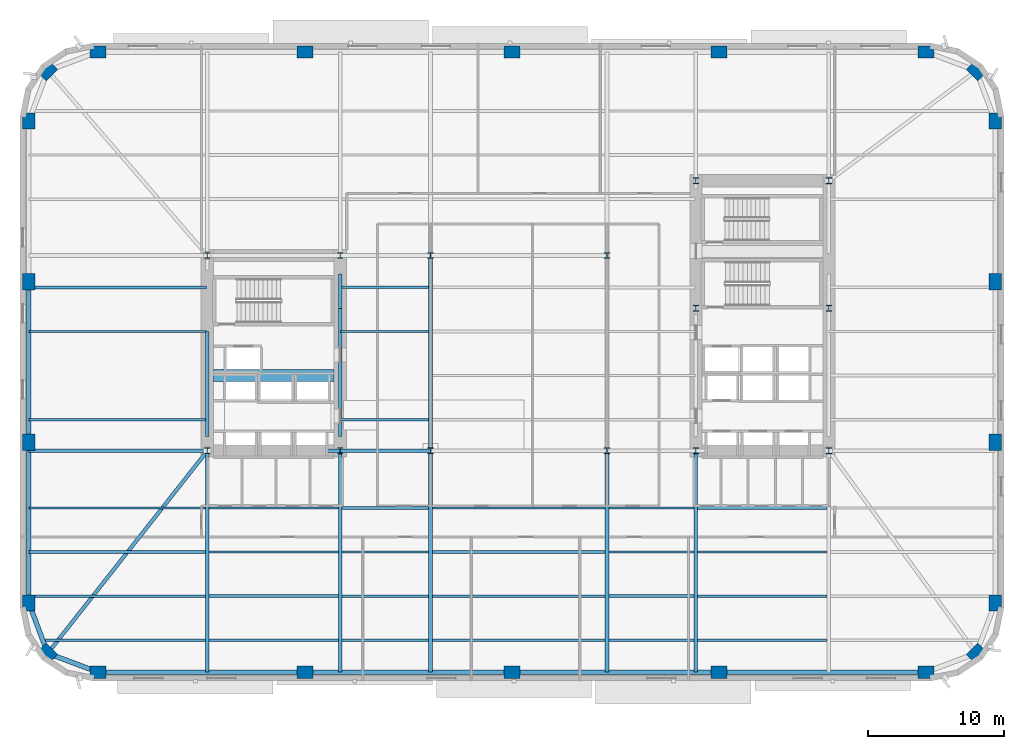
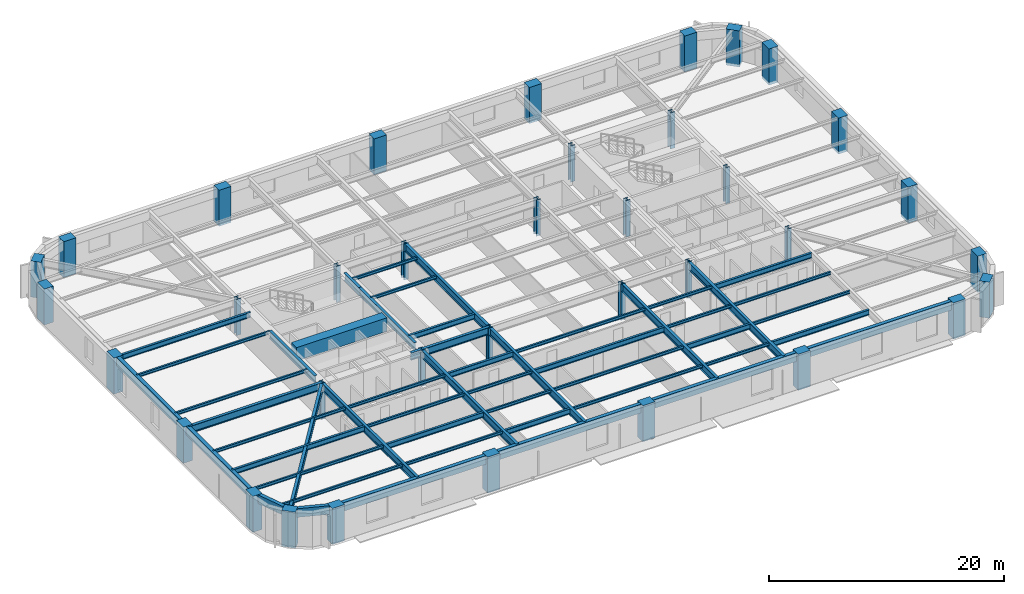
# One storey, part 1 of 15: 51 beams, 36 columns.
"""IFC4 building model written with IfcOpenShell, lengths in metres."""

from ifc_helpers import new_model, si_unit, direction, frame, origin, origin_2d, place, context, subcontext, project, spatial, rectangle, hollow_rectangle, i_section, extrude, material, material_profile, profile_set, type_object, element, save


model = new_model("IFC4")

# Units and contexts
model_context = context("Model", 3, precision=1e-05, world=origin(), true_north=direction((0.0, 1.0)))
body_context = subcontext(model_context, "Body", "Model", "MODEL_VIEW")
ifc_project = project(units=[si_unit("LENGTHUNIT", "METRE"), si_unit("AREAUNIT", "SQUARE_METRE"), si_unit("VOLUMEUNIT", "CUBIC_METRE"), si_unit("PLANEANGLEUNIT", "RADIAN"), si_unit("MASSUNIT", "GRAM", prefix="KILO")], contexts=[model_context])

# Site, building, storey
site_placement = place(None, origin())
site = spatial("IfcSite", under=ifc_project, at=site_placement, CompositionType="ELEMENT")
building_placement = place(site_placement, origin())
building = spatial("IfcBuilding", under=site, at=building_placement, Name="Kolvaren Arena Tower", CompositionType="ELEMENT")
storey_placement = place(building_placement, frame((0.0, 0.0, 49.5)))
storey = spatial("IfcBuildingStorey", under=building, at=storey_placement, Name="L09", CompositionType="ELEMENT", Elevation=49.5)

# Columns
ifc_material_1 = material(Name="Precast concrete C70/85", Category="concrete")
ifc_material_profile_1 = material_profile(ifc_material_1, rectangle(XDim=1.199951171875, YDim=0.89990234375, at=origin_2d()), Name="RC-1200x900")
ifc_profile_set_1 = profile_set([ifc_material_profile_1], Name="Precast concrete C70/85")
column_type_1 = type_object("IfcColumnType", Name="EXCOL-Z1", PredefinedType="COLUMN", material=ifc_profile_set_1)
for number, where, z_axis, x_axis, name in (
    (1, (6.5, 3.14990234375, -0.27001953125), (0.0, 0.0, 1.0), (1.0, 0.0, 0.0), "Exoskeleton Perimeter Column 01 (L09)"),
    (2, (21.75, 3.14990234375, -0.27001953125), (0.0, 0.0, 1.0), (1.0, 0.0, 0.0), "Exoskeleton Perimeter Column 02 (L09)"),
    (3, (37.0, 3.14990234375, -0.27001953125), (0.0, 0.0, 1.0), (1.0, 0.0, 0.0), "Exoskeleton Perimeter Column 03 (L09)"),
    (4, (52.25, 3.14990234375, -0.27001953125), (0.0, 0.0, 1.0), (1.0, 0.0, 0.0), "Exoskeleton Perimeter Column 04 (L09)"),
    (5, (67.5, 3.14990234375, -0.27001953125), (0.0, 0.0, 1.0), (1.0, 0.0, 0.0), "Exoskeleton Perimeter Column 05 (L09)"),
    (6, (71.208740234375, 4.541259765625, -0.27001953125), (0.0, 0.0, 1.0), (0.707106781187, 0.707106781187, 0.0), "Exoskeleton Perimeter Column 06 (L09)"),
    (7, (72.60009765625, 8.25, -0.27001953125), (0.0, 0.0, 1.0), (0.0, 1.0, 0.0), "Exoskeleton Perimeter Column 07 (L09)"),
    (8, (72.60009765625, 20.083251953125, -0.27001953125), (0.0, 0.0, 1.0), (0.0, 1.0, 0.0), "Exoskeleton Perimeter Column 08 (L09)"),
    (9, (72.60009765625, 31.916748046875, -0.27001953125), (0.0, 0.0, 1.0), (0.0, 1.0, 0.0), "Exoskeleton Perimeter Column 09 (L09)"),
    (10, (72.60009765625, 43.75, -0.27001953125), (0.0, 0.0, 1.0), (0.0, 1.0, 0.0), "Exoskeleton Perimeter Column 10 (L09)"),
    (11, (71.208740234375, 47.458740234375, -0.27001953125), (0.0, 0.0, 1.0), (-0.707106781187, 0.707106781187, 0.0), "Exoskeleton Perimeter Column 11 (L09)"),
    (12, (67.5, 48.85009765625, -0.27001953125), (0.0, 0.0, 1.0), (1.0, 0.0, 0.0), "Exoskeleton Perimeter Column 12 (L09)"),
    (13, (52.25, 48.85009765625, -0.27001953125), (0.0, 0.0, 1.0), (1.0, 0.0, 0.0), "Exoskeleton Perimeter Column 13 (L09)"),
    (14, (37.0, 48.85009765625, -0.27001953125), (0.0, 0.0, 1.0), (1.0, 0.0, 0.0), "Exoskeleton Perimeter Column 14 (L09)"),
    (15, (21.75, 48.85009765625, -0.27001953125), (0.0, 0.0, 1.0), (1.0, 0.0, 0.0), "Exoskeleton Perimeter Column 15 (L09)"),
    (16, (6.5, 48.85009765625, -0.27001953125), (0.0, 0.0, 1.0), (1.0, 0.0, 0.0), "Exoskeleton Perimeter Column 16 (L09)"),
    (17, (2.791259765625, 47.458740234375, -0.27001953125), (0.0, 0.0, 1.0), (0.707106781187, 0.707106781187, 0.0), "Exoskeleton Perimeter Column 17 (L09)"),
    (18, (1.39990234375, 43.75, -0.27001953125), (0.0, 0.0, 1.0), (0.0, 1.0, 0.0), "Exoskeleton Perimeter Column 18 (L09)"),
    (19, (1.39990234375, 31.916748046875, -0.27001953125), (0.0, 0.0, 1.0), (0.0, 1.0, 0.0), "Exoskeleton Perimeter Column 19 (L09)"),
    (20, (1.39990234375, 20.083251953125, -0.27001953125), (0.0, 0.0, 1.0), (0.0, 1.0, 0.0), "Exoskeleton Perimeter Column 20 (L09)"),
    (21, (1.39990234375, 8.25, -0.27001953125), (0.0, 0.0, 1.0), (0.0, 1.0, 0.0), "Exoskeleton Perimeter Column 21 (L09)"),
    (22, (2.791259765625, 4.541259765625, -0.27001953125), (0.0, 0.0, 1.0), (-0.707106781187, 0.707106781187, 0.0), "Exoskeleton Perimeter Column 22 (L09)"),
):
    element("IfcColumn", number, at=place(storey_placement, frame(where, z_axis=z_axis, x_axis=x_axis)), inside=storey, type_object=column_type_1, Name=name, PredefinedType="COLUMN", context=body_context, shape_type="SweptSolid", body=[
        extrude(rectangle(XDim=1.199951171875, YDim=0.89990234375, at=origin_2d()), origin(), (0.0, 0.0, 1.0), 3.75),
    ])
ifc_material_2 = material(Name="Steel ASTM A913 Grade 65", Category="steel")
ifc_material_profile_2 = material_profile(ifc_material_2, i_section(OverallWidth=0.424072265625, OverallDepth=0.47412109375, WebThickness=0.047607421875, FlangeThickness=0.076904296875, FilletRadius=0.02001953125, at=origin_2d()), Name="W360x634")
ifc_profile_set_2 = profile_set([ifc_material_profile_2], Name="Steel ASTM A913 Grade 65")
column_type_2 = type_object("IfcColumnType", Name="SCOL-Z1", PredefinedType="COLUMN", material=ifc_profile_set_2)
for number, where, z_axis, x_axis, name in (
    (23, (14.550048828125, 19.449951171875, -0.27001953125), (0.0, 0.0, 1.0), (1.0, 0.0, 0.0), "Core Boundary Column WC-SW (L09)"),
    (24, (24.35009765625, 19.449951171875, -0.27001953125), (0.0, 0.0, 1.0), (1.0, 0.0, 0.0), "Core Boundary Column WC-SE (L09)"),
    (25, (14.550048828125, 33.85009765625, -0.27001953125), (0.0, 0.0, 1.0), (1.0, 0.0, 0.0), "Core Boundary Column WC-NW (L09)"),
    (26, (24.35009765625, 33.85009765625, -0.27001953125), (0.0, 0.0, 1.0), (1.0, 0.0, 0.0), "Core Boundary Column WC-NE (L09)"),
    (27, (50.550048828125, 19.449951171875, -0.27001953125), (0.0, 0.0, 1.0), (1.0, 0.0, 0.0), "Core Boundary Column EC-SW (L09)"),
    (28, (60.35009765625, 19.449951171875, -0.27001953125), (0.0, 0.0, 1.0), (1.0, 0.0, 0.0), "Core Boundary Column EC-SE (L09)"),
    (29, (50.550048828125, 29.949951171875, -0.27001953125), (0.0, 0.0, 1.0), (1.0, 0.0, 0.0), "Core Boundary Column EC-MW (L09)"),
    (30, (60.35009765625, 29.949951171875, -0.27001953125), (0.0, 0.0, 1.0), (1.0, 0.0, 0.0), "Core Boundary Column EC-ME (L09)"),
    (31, (50.550048828125, 39.35009765625, -0.27001953125), (0.0, 0.0, 1.0), (1.0, 0.0, 0.0), "Core Boundary Column EC-NW (L09)"),
    (32, (60.35009765625, 39.35009765625, -0.27001953125), (0.0, 0.0, 1.0), (1.0, 0.0, 0.0), "Core Boundary Column EC-NE (L09)"),
    (33, (31.0, 19.449951171875, -0.27001953125), (0.0, 0.0, 1.0), (1.0, 0.0, 0.0), "Interior Gravity Column TC-SW (L09)"),
    (34, (44.0, 19.449951171875, -0.27001953125), (0.0, 0.0, 1.0), (1.0, 0.0, 0.0), "Interior Gravity Column TC-SE (L09)"),
    (35, (31.0, 33.85009765625, -0.27001953125), (0.0, 0.0, 1.0), (1.0, 0.0, 0.0), "Interior Gravity Column TC-NW (L09)"),
    (36, (44.0, 33.85009765625, -0.27001953125), (0.0, 0.0, 1.0), (1.0, 0.0, 0.0), "Interior Gravity Column TC-NE (L09)"),
):
    element("IfcColumn", number, at=place(storey_placement, frame(where, z_axis=z_axis, x_axis=x_axis)), inside=storey, type_object=column_type_2, Name=name, PredefinedType="COLUMN", context=body_context, shape_type="SweptSolid", body=[
        extrude(i_section(OverallWidth=0.424072265625, OverallDepth=0.47412109375, WebThickness=0.047607421875, FlangeThickness=0.076904296875, FilletRadius=0.02001953125, at=origin_2d()), origin(), (0.0, 0.0, 1.0), 3.75),
    ])

# Beams
ifc_material_3 = material(Name="Steel CSA G40.21 350W", Category="steel")
ifc_material_profile_3 = material_profile(ifc_material_3, i_section(OverallWidth=0.2119140625, OverallDepth=0.54296875, WebThickness=0.01318359375, FlangeThickness=0.0244140625, FilletRadius=0.013916015625, at=origin_2d()), Name="W530x150")
ifc_profile_set_3 = profile_set([ifc_material_profile_3], Name="Steel CSA G40.21 350W")
beam_type_1 = type_object("IfcBeamType", Name="BEAM-F1", PredefinedType="BEAM", material=ifc_profile_set_3)
beam_1_placement = place(storey_placement, frame((24.485107421875, 5.5, 3.20849609375), z_axis=(1.0, 0.0, 0.0), x_axis=(0.0, 1.0, 0.0)))
element("IfcBeam", 37, at=beam_1_placement, inside=storey, type_object=beam_type_1, Name="Composite Floor Beam (L09)", PredefinedType="BEAM", context=body_context, shape_type="SweptSolid", body=[
    extrude(i_section(OverallWidth=0.2119140625, OverallDepth=0.54296875, WebThickness=0.01318359375, FlangeThickness=0.0244140625, FilletRadius=0.013916015625, at=origin_2d()), origin(), (0.0, 0.0, 1.0), 6.3798828125),
])
for number, where, z_axis, x_axis, name in (
    (38, (50.68505859375, 5.5, 3.20849609375), (1.0, 0.0, 0.0), (0.0, 1.0, 0.0), "Composite Floor Beam (L09)"),
    (39, (14.68505859375, 8.75, 3.20849609375), (1.0, 0.0, 0.0), (0.0, 1.0, 0.0), "Composite Floor Beam (L09)"),
):
    element("IfcBeam", number, at=place(storey_placement, frame(where, z_axis=z_axis, x_axis=x_axis)), inside=storey, type_object=beam_type_1, Name=name, PredefinedType="BEAM", context=body_context, shape_type="SweptSolid", body=[
        extrude(i_section(OverallWidth=0.2119140625, OverallDepth=0.54296875, WebThickness=0.01318359375, FlangeThickness=0.0244140625, FilletRadius=0.013916015625, at=origin_2d()), origin(), (0.0, 0.0, 1.0), 9.530029296875),
    ])
beam_2_placement = place(storey_placement, frame((44.135009765625, 8.75, 3.20849609375), z_axis=(1.0, 0.0, 0.0), x_axis=(0.0, 1.0, 0.0)))
element("IfcBeam", 40, at=beam_2_placement, inside=storey, type_object=beam_type_1, Name="Composite Floor Beam (L09)", PredefinedType="BEAM", context=body_context, shape_type="SweptSolid", body=[
    extrude(i_section(OverallWidth=0.2119140625, OverallDepth=0.54296875, WebThickness=0.01318359375, FlangeThickness=0.0244140625, FilletRadius=0.013916015625, at=origin_2d()), origin(), (0.0, 0.0, 1.0), 6.280029296875),
])
beam_3_placement = place(storey_placement, frame((1.39990234375, 12.0, 3.20849609375), z_axis=(1.0, 0.0, 0.0), x_axis=(0.0, 1.0, 0.0)))
element("IfcBeam", 41, at=beam_3_placement, inside=storey, type_object=beam_type_1, Name="Composite Floor Beam (L09)", PredefinedType="BEAM", context=body_context, shape_type="SweptSolid", body=[
    extrude(i_section(OverallWidth=0.2119140625, OverallDepth=0.54296875, WebThickness=0.01318359375, FlangeThickness=0.0244140625, FilletRadius=0.013916015625, at=origin_2d()), origin(), (0.0, 0.0, 1.0), 13.01513671875),
])
beam_4_placement = place(storey_placement, frame((31.135009765625, 12.0, 3.20849609375), z_axis=(1.0, 0.0, 0.0), x_axis=(0.0, 1.0, 0.0)))
element("IfcBeam", 42, at=beam_4_placement, inside=storey, type_object=beam_type_1, Name="Composite Floor Beam (L09)", PredefinedType="BEAM", context=body_context, shape_type="SweptSolid", body=[
    extrude(i_section(OverallWidth=0.2119140625, OverallDepth=0.54296875, WebThickness=0.01318359375, FlangeThickness=0.0244140625, FilletRadius=0.013916015625, at=origin_2d()), origin(), (0.0, 0.0, 1.0), 12.72998046875),
])
beam_5_placement = place(storey_placement, frame((24.485107421875, 15.25, 3.20849609375), z_axis=(1.0, 0.0, 0.0), x_axis=(0.0, 1.0, 0.0)))
element("IfcBeam", 43, at=beam_5_placement, inside=storey, type_object=beam_type_1, Name="Composite Floor Beam (L09)", PredefinedType="BEAM", context=body_context, shape_type="SweptSolid", body=[
    extrude(i_section(OverallWidth=0.2119140625, OverallDepth=0.54296875, WebThickness=0.01318359375, FlangeThickness=0.0244140625, FilletRadius=0.013916015625, at=origin_2d()), origin(), (0.0, 0.0, 1.0), 6.3798828125),
])
beam_6_placement = place(storey_placement, frame((50.68505859375, 15.25, 3.20849609375), z_axis=(1.0, 0.0, 0.0), x_axis=(0.0, 1.0, 0.0)))
element("IfcBeam", 44, at=beam_6_placement, inside=storey, type_object=beam_type_1, Name="Composite Floor Beam (L09)", PredefinedType="BEAM", context=body_context, shape_type="SweptSolid", body=[
    extrude(i_section(OverallWidth=0.2119140625, OverallDepth=0.54296875, WebThickness=0.01318359375, FlangeThickness=0.0244140625, FilletRadius=0.013916015625, at=origin_2d()), origin(), (0.0, 0.0, 1.0), 9.530029296875),
])
beam_7_placement = place(storey_placement, frame((24.3701171875, 21.75, 3.20849609375), z_axis=(1.0, 0.0, 0.0), x_axis=(0.0, 1.0, 0.0)))
element("IfcBeam", 45, at=beam_7_placement, inside=storey, type_object=beam_type_1, Name="Composite Floor Beam (L09)", PredefinedType="BEAM", context=body_context, shape_type="SweptSolid", body=[
    extrude(i_section(OverallWidth=0.2119140625, OverallDepth=0.54296875, WebThickness=0.01318359375, FlangeThickness=0.0244140625, FilletRadius=0.013916015625, at=origin_2d()), origin(), (0.0, 0.0, 1.0), 6.494873046875),
])
beam_8_placement = place(storey_placement, frame((1.39990234375, 31.5, 3.20849609375), z_axis=(1.0, 0.0, 0.0), x_axis=(0.0, 1.0, 0.0)))
element("IfcBeam", 46, at=beam_8_placement, inside=storey, type_object=beam_type_1, Name="Composite Floor Beam (L09)", PredefinedType="BEAM", context=body_context, shape_type="SweptSolid", body=[
    extrude(i_section(OverallWidth=0.2119140625, OverallDepth=0.54296875, WebThickness=0.01318359375, FlangeThickness=0.0244140625, FilletRadius=0.013916015625, at=origin_2d()), origin(), (0.0, 0.0, 1.0), 13.080078125),
])
ifc_material_4 = material(Name="Concrete 75 MPa", Category="concrete")
ifc_material_profile_4 = material_profile(ifc_material_4, rectangle(XDim=0.89990234375, YDim=1.39990234375, at=origin_2d()), Name="RC-900x1400")
ifc_profile_set_4 = profile_set([ifc_material_profile_4], Name="Concrete 75 MPa")
beam_type_2 = type_object("IfcBeamType", Name="CB-CORE-1", PredefinedType="BEAM", material=ifc_profile_set_4)
beam_9_placement = place(storey_placement, frame((15.0, 25.0, 3.050048828125), z_axis=(1.0, 0.0, 0.0), x_axis=(0.0, 1.0, 0.0)))
element("IfcBeam", 47, at=beam_9_placement, inside=storey, type_object=beam_type_2, Name="West Core Coupling Beam (L09)", PredefinedType="BEAM", context=body_context, shape_type="SweptSolid", body=[
    extrude(rectangle(XDim=0.89990234375, YDim=1.39990234375, at=origin_2d()), origin(), (0.0, 0.0, 1.0), 8.89990234375),
])
ifc_material_profile_5 = material_profile(ifc_material_3, i_section(OverallWidth=0.27001953125, OverallDepth=0.77294921875, WebThickness=0.019287109375, FlangeThickness=0.033447265625, FilletRadius=0.01806640625, at=origin_2d()), Name="W760x257")
ifc_profile_set_5 = profile_set([ifc_material_profile_5], Name="Steel CSA G40.21 350W")
beam_type_3 = type_object("IfcBeamType", Name="GIRD-T1", PredefinedType="BEAM", material=ifc_profile_set_5)
beam_10_placement = place(storey_placement, frame((2.791259765625, 4.541259765625, 3.093505859375), z_axis=(0.61927986086, 0.785170334343, 0.0), x_axis=(-0.785170334343, 0.61927986086, 0.0)))
element("IfcBeam", 48, at=beam_10_placement, inside=storey, type_object=beam_type_3, Name="Corner Diagonal Tie Girder (L09)", PredefinedType="BEAM", context=body_context, shape_type="SweptSolid", body=[
    extrude(i_section(OverallWidth=0.27001953125, OverallDepth=0.77294921875, WebThickness=0.019287109375, FlangeThickness=0.033447265625, FilletRadius=0.01806640625, at=origin_2d()), origin(), (0.0, 0.0, 1.0), 18.98779296875),
])
beam_11_placement = place(storey_placement, frame((1.39990234375, 19.449951171875, 3.093505859375), z_axis=(1.0, 0.0, 0.0), x_axis=(0.0, 1.0, 0.0)))
element("IfcBeam", 49, at=beam_11_placement, inside=storey, type_object=beam_type_3, Name="Primary Floor Girder (L09)", PredefinedType="BEAM", context=body_context, shape_type="SweptSolid", body=[
    extrude(i_section(OverallWidth=0.27001953125, OverallDepth=0.77294921875, WebThickness=0.019287109375, FlangeThickness=0.033447265625, FilletRadius=0.01806640625, at=origin_2d()), origin(), (0.0, 0.0, 1.0), 13.150146484375),
])
beam_12_placement = place(storey_placement, frame((23.2451171875, 19.449951171875, 3.093505859375), z_axis=(1.0, 0.0, 0.0), x_axis=(0.0, 1.0, 0.0)))
element("IfcBeam", 50, at=beam_12_placement, inside=storey, type_object=beam_type_3, Name="Primary Floor Girder (L09)", PredefinedType="BEAM", context=body_context, shape_type="SweptSolid", body=[
    extrude(i_section(OverallWidth=0.27001953125, OverallDepth=0.77294921875, WebThickness=0.019287109375, FlangeThickness=0.033447265625, FilletRadius=0.01806640625, at=origin_2d()), origin(), (0.0, 0.0, 1.0), 7.7548828125),
])
beam_13_placement = place(storey_placement, frame((14.550048828125, 3.14990234375, 3.093505859375), z_axis=(0.0, 1.0, 0.0), x_axis=(-1.0, 0.0, 0.0)))
element("IfcBeam", 51, at=beam_13_placement, inside=storey, type_object=beam_type_3, Name="Primary Floor Girder (L09)", PredefinedType="BEAM", context=body_context, shape_type="SweptSolid", body=[
    extrude(i_section(OverallWidth=0.27001953125, OverallDepth=0.77294921875, WebThickness=0.019287109375, FlangeThickness=0.033447265625, FilletRadius=0.01806640625, at=origin_2d()), origin(), (0.0, 0.0, 1.0), 16.300048828125),
])
beam_14_placement = place(storey_placement, frame((14.550048828125, 20.5, 3.093505859375), z_axis=(0.0, 1.0, 0.0), x_axis=(-1.0, 0.0, 0.0)))
element("IfcBeam", 52, at=beam_14_placement, inside=storey, type_object=beam_type_3, Name="Primary Floor Girder (L09)", PredefinedType="BEAM", context=body_context, shape_type="SweptSolid", body=[
    extrude(i_section(OverallWidth=0.27001953125, OverallDepth=0.77294921875, WebThickness=0.019287109375, FlangeThickness=0.033447265625, FilletRadius=0.01806640625, at=origin_2d()), origin(), (0.0, 0.0, 1.0), 7.739990234375),
])
beam_15_placement = place(storey_placement, frame((24.35009765625, 3.14990234375, 3.093505859375), z_axis=(0.0, 1.0, 0.0), x_axis=(-1.0, 0.0, 0.0)))
element("IfcBeam", 53, at=beam_15_placement, inside=storey, type_object=beam_type_3, Name="Primary Floor Girder (L09)", PredefinedType="BEAM", context=body_context, shape_type="SweptSolid", body=[
    extrude(i_section(OverallWidth=0.27001953125, OverallDepth=0.77294921875, WebThickness=0.019287109375, FlangeThickness=0.033447265625, FilletRadius=0.01806640625, at=origin_2d()), origin(), (0.0, 0.0, 1.0), 16.300048828125),
])
beam_16_placement = place(storey_placement, frame((24.35009765625, 20.5, 3.093505859375), z_axis=(0.0, 1.0, 0.0), x_axis=(-1.0, 0.0, 0.0)))
element("IfcBeam", 54, at=beam_16_placement, inside=storey, type_object=beam_type_3, Name="Primary Floor Girder (L09)", PredefinedType="BEAM", context=body_context, shape_type="SweptSolid", body=[
    extrude(i_section(OverallWidth=0.27001953125, OverallDepth=0.77294921875, WebThickness=0.019287109375, FlangeThickness=0.033447265625, FilletRadius=0.01806640625, at=origin_2d()), origin(), (0.0, 0.0, 1.0), 9.449951171875),
])
beam_17_placement = place(storey_placement, frame((24.35009765625, 29.949951171875, 3.093505859375), z_axis=(0.0, 1.0, 0.0), x_axis=(-1.0, 0.0, 0.0)))
element("IfcBeam", 55, at=beam_17_placement, inside=storey, type_object=beam_type_3, Name="Primary Floor Girder (L09)", PredefinedType="BEAM", context=body_context, shape_type="SweptSolid", body=[
    extrude(i_section(OverallWidth=0.27001953125, OverallDepth=0.77294921875, WebThickness=0.019287109375, FlangeThickness=0.033447265625, FilletRadius=0.01806640625, at=origin_2d()), origin(), (0.0, 0.0, 1.0), 2.550048828125),
])
beam_18_placement = place(storey_placement, frame((31.0, 3.14990234375, 3.093505859375), z_axis=(0.0, 1.0, 0.0), x_axis=(-1.0, 0.0, 0.0)))
element("IfcBeam", 56, at=beam_18_placement, inside=storey, type_object=beam_type_3, Name="Primary Floor Girder (L09)", PredefinedType="BEAM", context=body_context, shape_type="SweptSolid", body=[
    extrude(i_section(OverallWidth=0.27001953125, OverallDepth=0.77294921875, WebThickness=0.019287109375, FlangeThickness=0.033447265625, FilletRadius=0.01806640625, at=origin_2d()), origin(), (0.0, 0.0, 1.0), 16.300048828125),
])
beam_19_placement = place(storey_placement, frame((31.0, 19.449951171875, 3.093505859375), z_axis=(0.0, 1.0, 0.0), x_axis=(-1.0, 0.0, 0.0)))
element("IfcBeam", 57, at=beam_19_placement, inside=storey, type_object=beam_type_3, Name="Primary Floor Girder (L09)", PredefinedType="BEAM", context=body_context, shape_type="SweptSolid", body=[
    extrude(i_section(OverallWidth=0.27001953125, OverallDepth=0.77294921875, WebThickness=0.019287109375, FlangeThickness=0.033447265625, FilletRadius=0.01806640625, at=origin_2d()), origin(), (0.0, 0.0, 1.0), 14.400146484375),
])
for number, where, z_axis, x_axis, name in (
    (58, (44.0, 3.14990234375, 3.093505859375), (0.0, 1.0, 0.0), (-1.0, 0.0, 0.0), "Primary Floor Girder (L09)"),
    (59, (50.550048828125, 3.14990234375, 3.093505859375), (0.0, 1.0, 0.0), (-1.0, 0.0, 0.0), "Primary Floor Girder (L09)"),
):
    element("IfcBeam", number, at=place(storey_placement, frame(where, z_axis=z_axis, x_axis=x_axis)), inside=storey, type_object=beam_type_3, Name=name, PredefinedType="BEAM", context=body_context, shape_type="SweptSolid", body=[
        extrude(i_section(OverallWidth=0.27001953125, OverallDepth=0.77294921875, WebThickness=0.019287109375, FlangeThickness=0.033447265625, FilletRadius=0.01806640625, at=origin_2d()), origin(), (0.0, 0.0, 1.0), 16.300048828125),
    ])
ifc_material_profile_6 = material_profile(ifc_material_3, i_section(OverallWidth=0.1669921875, OverallDepth=0.31689453125, WebThickness=0.007568359375, FlangeThickness=0.01318359375, FilletRadius=0.010009765625, at=origin_2d()), Name="W310x52")
ifc_profile_set_6 = profile_set([ifc_material_profile_6], Name="Steel CSA G40.21 350W")
beam_type_4 = type_object("IfcBeamType", Name="JOIST-02", PredefinedType="JOIST", material=ifc_profile_set_6)
beam_20_placement = place(storey_placement, frame((2.431396484375, 5.5, 3.321533203125), z_axis=(1.0, 0.0, 0.0), x_axis=(0.0, 1.0, 0.0)))
element("IfcBeam", 60, at=beam_20_placement, inside=storey, type_object=beam_type_4, Name="Composite Floor Joist (L09)", PredefinedType="JOIST", context=body_context, shape_type="SweptSolid", body=[
    extrude(i_section(OverallWidth=0.1669921875, OverallDepth=0.31689453125, WebThickness=0.007568359375, FlangeThickness=0.01318359375, FilletRadius=0.010009765625, at=origin_2d()), origin(), (0.0, 0.0, 1.0), 11.983642578125),
])
beam_21_placement = place(storey_placement, frame((14.68505859375, 5.5, 3.321533203125), z_axis=(1.0, 0.0, 0.0), x_axis=(0.0, 1.0, 0.0)))
element("IfcBeam", 61, at=beam_21_placement, inside=storey, type_object=beam_type_4, Name="Composite Floor Joist (L09)", PredefinedType="JOIST", context=body_context, shape_type="SweptSolid", body=[
    extrude(i_section(OverallWidth=0.1669921875, OverallDepth=0.31689453125, WebThickness=0.007568359375, FlangeThickness=0.01318359375, FilletRadius=0.010009765625, at=origin_2d()), origin(), (0.0, 0.0, 1.0), 9.530029296875),
])
beam_22_placement = place(storey_placement, frame((31.135009765625, 5.5, 3.321533203125), z_axis=(1.0, 0.0, 0.0), x_axis=(0.0, 1.0, 0.0)))
element("IfcBeam", 62, at=beam_22_placement, inside=storey, type_object=beam_type_4, Name="Composite Floor Joist (L09)", PredefinedType="JOIST", context=body_context, shape_type="SweptSolid", body=[
    extrude(i_section(OverallWidth=0.1669921875, OverallDepth=0.31689453125, WebThickness=0.007568359375, FlangeThickness=0.01318359375, FilletRadius=0.010009765625, at=origin_2d()), origin(), (0.0, 0.0, 1.0), 12.72998046875),
])
beam_23_placement = place(storey_placement, frame((44.135009765625, 5.5, 3.321533203125), z_axis=(1.0, 0.0, 0.0), x_axis=(0.0, 1.0, 0.0)))
element("IfcBeam", 63, at=beam_23_placement, inside=storey, type_object=beam_type_4, Name="Composite Floor Joist (L09)", PredefinedType="JOIST", context=body_context, shape_type="SweptSolid", body=[
    extrude(i_section(OverallWidth=0.1669921875, OverallDepth=0.31689453125, WebThickness=0.007568359375, FlangeThickness=0.01318359375, FilletRadius=0.010009765625, at=origin_2d()), origin(), (0.0, 0.0, 1.0), 6.280029296875),
])
beam_24_placement = place(storey_placement, frame((1.39990234375, 8.75, 3.321533203125), z_axis=(1.0, 0.0, 0.0), x_axis=(0.0, 1.0, 0.0)))
element("IfcBeam", 64, at=beam_24_placement, inside=storey, type_object=beam_type_4, Name="Composite Floor Joist (L09)", PredefinedType="JOIST", context=body_context, shape_type="SweptSolid", body=[
    extrude(i_section(OverallWidth=0.1669921875, OverallDepth=0.31689453125, WebThickness=0.007568359375, FlangeThickness=0.01318359375, FilletRadius=0.010009765625, at=origin_2d()), origin(), (0.0, 0.0, 1.0), 13.01513671875),
])
beam_25_placement = place(storey_placement, frame((24.485107421875, 8.75, 3.321533203125), z_axis=(1.0, 0.0, 0.0), x_axis=(0.0, 1.0, 0.0)))
element("IfcBeam", 65, at=beam_25_placement, inside=storey, type_object=beam_type_4, Name="Composite Floor Joist (L09)", PredefinedType="JOIST", context=body_context, shape_type="SweptSolid", body=[
    extrude(i_section(OverallWidth=0.1669921875, OverallDepth=0.31689453125, WebThickness=0.007568359375, FlangeThickness=0.01318359375, FilletRadius=0.010009765625, at=origin_2d()), origin(), (0.0, 0.0, 1.0), 6.3798828125),
])
beam_26_placement = place(storey_placement, frame((31.135009765625, 8.75, 3.321533203125), z_axis=(1.0, 0.0, 0.0), x_axis=(0.0, 1.0, 0.0)))
element("IfcBeam", 66, at=beam_26_placement, inside=storey, type_object=beam_type_4, Name="Composite Floor Joist (L09)", PredefinedType="JOIST", context=body_context, shape_type="SweptSolid", body=[
    extrude(i_section(OverallWidth=0.1669921875, OverallDepth=0.31689453125, WebThickness=0.007568359375, FlangeThickness=0.01318359375, FilletRadius=0.010009765625, at=origin_2d()), origin(), (0.0, 0.0, 1.0), 12.72998046875),
])
for number, where, z_axis, x_axis, name in (
    (67, (50.68505859375, 8.75, 3.321533203125), (1.0, 0.0, 0.0), (0.0, 1.0, 0.0), "Composite Floor Joist (L09)"),
    (68, (14.68505859375, 12.0, 3.321533203125), (1.0, 0.0, 0.0), (0.0, 1.0, 0.0), "Composite Floor Joist (L09)"),
):
    element("IfcBeam", number, at=place(storey_placement, frame(where, z_axis=z_axis, x_axis=x_axis)), inside=storey, type_object=beam_type_4, Name=name, PredefinedType="JOIST", context=body_context, shape_type="SweptSolid", body=[
        extrude(i_section(OverallWidth=0.1669921875, OverallDepth=0.31689453125, WebThickness=0.007568359375, FlangeThickness=0.01318359375, FilletRadius=0.010009765625, at=origin_2d()), origin(), (0.0, 0.0, 1.0), 9.530029296875),
    ])
beam_27_placement = place(storey_placement, frame((24.485107421875, 12.0, 3.321533203125), z_axis=(1.0, 0.0, 0.0), x_axis=(0.0, 1.0, 0.0)))
element("IfcBeam", 69, at=beam_27_placement, inside=storey, type_object=beam_type_4, Name="Composite Floor Joist (L09)", PredefinedType="JOIST", context=body_context, shape_type="SweptSolid", body=[
    extrude(i_section(OverallWidth=0.1669921875, OverallDepth=0.31689453125, WebThickness=0.007568359375, FlangeThickness=0.01318359375, FilletRadius=0.010009765625, at=origin_2d()), origin(), (0.0, 0.0, 1.0), 6.3798828125),
])
beam_28_placement = place(storey_placement, frame((44.135009765625, 12.0, 3.321533203125), z_axis=(1.0, 0.0, 0.0), x_axis=(0.0, 1.0, 0.0)))
element("IfcBeam", 70, at=beam_28_placement, inside=storey, type_object=beam_type_4, Name="Composite Floor Joist (L09)", PredefinedType="JOIST", context=body_context, shape_type="SweptSolid", body=[
    extrude(i_section(OverallWidth=0.1669921875, OverallDepth=0.31689453125, WebThickness=0.007568359375, FlangeThickness=0.01318359375, FilletRadius=0.010009765625, at=origin_2d()), origin(), (0.0, 0.0, 1.0), 6.280029296875),
])
beam_29_placement = place(storey_placement, frame((50.68505859375, 12.0, 3.321533203125), z_axis=(1.0, 0.0, 0.0), x_axis=(0.0, 1.0, 0.0)))
element("IfcBeam", 71, at=beam_29_placement, inside=storey, type_object=beam_type_4, Name="Composite Floor Joist (L09)", PredefinedType="JOIST", context=body_context, shape_type="SweptSolid", body=[
    extrude(i_section(OverallWidth=0.1669921875, OverallDepth=0.31689453125, WebThickness=0.007568359375, FlangeThickness=0.01318359375, FilletRadius=0.010009765625, at=origin_2d()), origin(), (0.0, 0.0, 1.0), 9.530029296875),
])
beam_30_placement = place(storey_placement, frame((1.39990234375, 15.25, 3.321533203125), z_axis=(1.0, 0.0, 0.0), x_axis=(0.0, 1.0, 0.0)))
element("IfcBeam", 72, at=beam_30_placement, inside=storey, type_object=beam_type_4, Name="Composite Floor Joist (L09)", PredefinedType="JOIST", context=body_context, shape_type="SweptSolid", body=[
    extrude(i_section(OverallWidth=0.1669921875, OverallDepth=0.31689453125, WebThickness=0.007568359375, FlangeThickness=0.01318359375, FilletRadius=0.010009765625, at=origin_2d()), origin(), (0.0, 0.0, 1.0), 13.01513671875),
])
beam_31_placement = place(storey_placement, frame((14.68505859375, 15.25, 3.321533203125), z_axis=(1.0, 0.0, 0.0), x_axis=(0.0, 1.0, 0.0)))
element("IfcBeam", 73, at=beam_31_placement, inside=storey, type_object=beam_type_4, Name="Composite Floor Joist (L09)", PredefinedType="JOIST", context=body_context, shape_type="SweptSolid", body=[
    extrude(i_section(OverallWidth=0.1669921875, OverallDepth=0.31689453125, WebThickness=0.007568359375, FlangeThickness=0.01318359375, FilletRadius=0.010009765625, at=origin_2d()), origin(), (0.0, 0.0, 1.0), 9.530029296875),
])
beam_32_placement = place(storey_placement, frame((31.135009765625, 15.25, 3.321533203125), z_axis=(1.0, 0.0, 0.0), x_axis=(0.0, 1.0, 0.0)))
element("IfcBeam", 74, at=beam_32_placement, inside=storey, type_object=beam_type_4, Name="Composite Floor Joist (L09)", PredefinedType="JOIST", context=body_context, shape_type="SweptSolid", body=[
    extrude(i_section(OverallWidth=0.1669921875, OverallDepth=0.31689453125, WebThickness=0.007568359375, FlangeThickness=0.01318359375, FilletRadius=0.010009765625, at=origin_2d()), origin(), (0.0, 0.0, 1.0), 12.72998046875),
])
beam_33_placement = place(storey_placement, frame((44.135009765625, 15.25, 3.321533203125), z_axis=(1.0, 0.0, 0.0), x_axis=(0.0, 1.0, 0.0)))
element("IfcBeam", 75, at=beam_33_placement, inside=storey, type_object=beam_type_4, Name="Composite Floor Joist (L09)", PredefinedType="JOIST", context=body_context, shape_type="SweptSolid", body=[
    extrude(i_section(OverallWidth=0.1669921875, OverallDepth=0.31689453125, WebThickness=0.007568359375, FlangeThickness=0.01318359375, FilletRadius=0.010009765625, at=origin_2d()), origin(), (0.0, 0.0, 1.0), 6.280029296875),
])
beam_34_placement = place(storey_placement, frame((1.39990234375, 21.75, 3.321533203125), z_axis=(1.0, 0.0, 0.0), x_axis=(0.0, 1.0, 0.0)))
element("IfcBeam", 76, at=beam_34_placement, inside=storey, type_object=beam_type_4, Name="Composite Floor Joist (L09)", PredefinedType="JOIST", context=body_context, shape_type="SweptSolid", body=[
    extrude(i_section(OverallWidth=0.1669921875, OverallDepth=0.31689453125, WebThickness=0.007568359375, FlangeThickness=0.01318359375, FilletRadius=0.010009765625, at=origin_2d()), origin(), (0.0, 0.0, 1.0), 13.130126953125),
])
beam_35_placement = place(storey_placement, frame((1.39990234375, 28.25, 3.321533203125), z_axis=(1.0, 0.0, 0.0), x_axis=(0.0, 1.0, 0.0)))
element("IfcBeam", 77, at=beam_35_placement, inside=storey, type_object=beam_type_4, Name="Composite Floor Joist (L09)", PredefinedType="JOIST", context=body_context, shape_type="SweptSolid", body=[
    extrude(i_section(OverallWidth=0.1669921875, OverallDepth=0.31689453125, WebThickness=0.007568359375, FlangeThickness=0.01318359375, FilletRadius=0.010009765625, at=origin_2d()), origin(), (0.0, 0.0, 1.0), 13.080078125),
])
for number, where, z_axis, x_axis, name in (
    (78, (24.3701171875, 28.25, 3.321533203125), (1.0, 0.0, 0.0), (0.0, 1.0, 0.0), "Composite Floor Joist (L09)"),
    (79, (24.3701171875, 31.5, 3.321533203125), (1.0, 0.0, 0.0), (0.0, 1.0, 0.0), "Composite Floor Joist (L09)"),
):
    element("IfcBeam", number, at=place(storey_placement, frame(where, z_axis=z_axis, x_axis=x_axis)), inside=storey, type_object=beam_type_4, Name=name, PredefinedType="JOIST", context=body_context, shape_type="SweptSolid", body=[
        extrude(i_section(OverallWidth=0.1669921875, OverallDepth=0.31689453125, WebThickness=0.007568359375, FlangeThickness=0.01318359375, FilletRadius=0.010009765625, at=origin_2d()), origin(), (0.0, 0.0, 1.0), 6.494873046875),
    ])
ifc_material_5 = material(Name="Steel CSA G40.21 350WT", Category="steel")
ifc_material_profile_7 = material_profile(ifc_material_5, hollow_rectangle(XDim=0.35009765625, YDim=0.89990234375, WallThickness=0.02001953125, at=origin_2d()), Name="HSS 900x350x20")
ifc_profile_set_7 = profile_set([ifc_material_profile_7], Name="Steel CSA G40.21 350WT")
beam_type_5 = type_object("IfcBeamType", Name="SPAND-01", PredefinedType="SPANDREL", material=ifc_profile_set_7)
for number, where, z_axis, x_axis, name in (
    (80, (6.5, 3.14990234375, 3.030029296875), (1.0, 0.0, 0.0), (0.0, 1.0, 0.0), "Perimeter Spandrel Beam (L09)"),
    (81, (21.75, 3.14990234375, 3.030029296875), (1.0, 0.0, 0.0), (0.0, 1.0, 0.0), "Perimeter Spandrel Beam (L09)"),
    (82, (37.0, 3.14990234375, 3.030029296875), (1.0, 0.0, 0.0), (0.0, 1.0, 0.0), "Perimeter Spandrel Beam (L09)"),
    (83, (52.25, 3.14990234375, 3.030029296875), (1.0, 0.0, 0.0), (0.0, 1.0, 0.0), "Perimeter Spandrel Beam (L09)"),
):
    element("IfcBeam", number, at=place(storey_placement, frame(where, z_axis=z_axis, x_axis=x_axis)), inside=storey, type_object=beam_type_5, Name=name, PredefinedType="SPANDREL", context=body_context, shape_type="SweptSolid", body=[
        extrude(hollow_rectangle(XDim=0.35009765625, YDim=0.89990234375, WallThickness=0.02001953125, at=origin_2d()), origin(), (0.0, 0.0, 1.0), 15.25),
    ])
beam_36_placement = place(storey_placement, frame((1.39990234375, 31.916748046875, 3.030029296875), z_axis=(0.0, -1.0, 0.0), x_axis=(1.0, 0.0, 0.0)))
element("IfcBeam", 84, at=beam_36_placement, inside=storey, type_object=beam_type_5, Name="Perimeter Spandrel Beam (L09)", PredefinedType="SPANDREL", context=body_context, shape_type="SweptSolid", body=[
    extrude(hollow_rectangle(XDim=0.35009765625, YDim=0.89990234375, WallThickness=0.02001953125, at=origin_2d()), origin(), (0.0, 0.0, 1.0), 11.83349609375),
])
beam_37_placement = place(storey_placement, frame((1.39990234375, 20.083251953125, 3.030029296875), z_axis=(0.0, -1.0, 0.0), x_axis=(1.0, 0.0, 0.0)))
element("IfcBeam", 85, at=beam_37_placement, inside=storey, type_object=beam_type_5, Name="Perimeter Spandrel Beam (L09)", PredefinedType="SPANDREL", context=body_context, shape_type="SweptSolid", body=[
    extrude(hollow_rectangle(XDim=0.35009765625, YDim=0.89990234375, WallThickness=0.02001953125, at=origin_2d()), origin(), (0.0, 0.0, 1.0), 11.833251953125),
])
for number, where, z_axis, x_axis, name in (
    (86, (1.39990234375, 8.25, 3.030029296875), (0.351251771955, -0.93628104365, 0.0), (0.93628104365, 0.351251771955, 0.0), "Perimeter Spandrel Beam (L09)"),
    (87, (2.791259765625, 4.541259765625, 3.030029296875), (0.93628104365, -0.351251771955, 0.0), (0.351251771955, 0.93628104365, 0.0), "Perimeter Spandrel Beam (L09)"),
):
    element("IfcBeam", number, at=place(storey_placement, frame(where, z_axis=z_axis, x_axis=x_axis)), inside=storey, type_object=beam_type_5, Name=name, PredefinedType="SPANDREL", context=body_context, shape_type="SweptSolid", body=[
        extrude(hollow_rectangle(XDim=0.35009765625, YDim=0.89990234375, WallThickness=0.02001953125, at=origin_2d()), origin(), (0.0, 0.0, 1.0), 3.961181640625),
    ])

save(model, "model.ifc")
